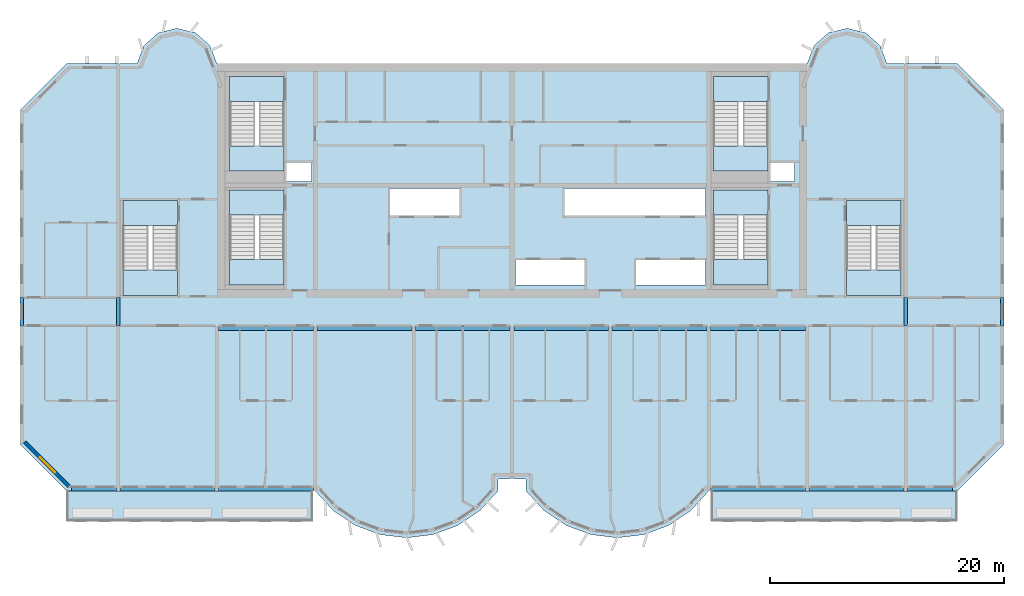
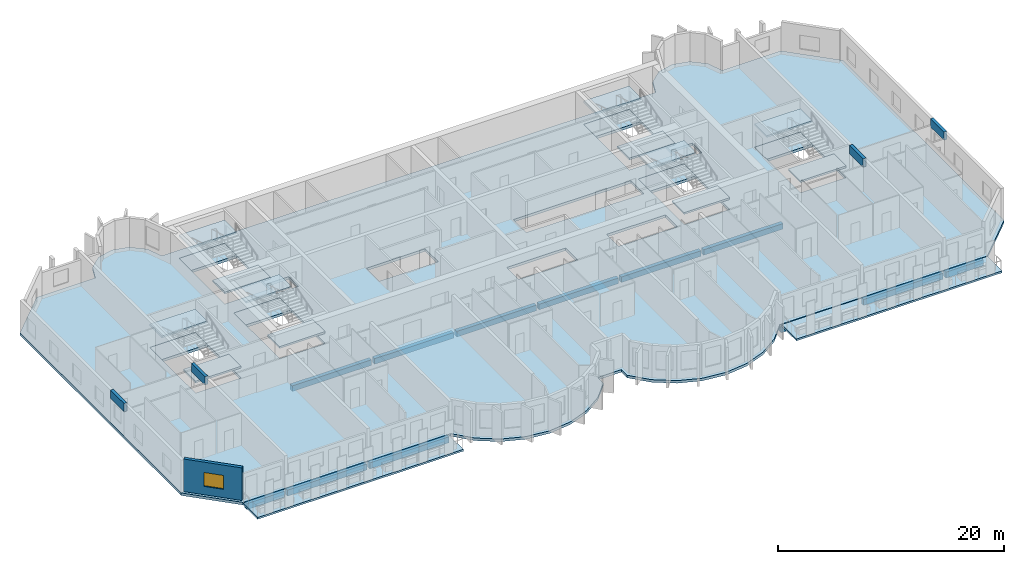
# One storey, part 1 of 13: 21 slabs, 16 beams, 1 wall, 1 window, 1 opening, 6 elements without a shape of their own.
"""IFC4 building model written with IfcOpenShell, lengths in metres."""

from ifc_helpers import new_model, si_unit, direction, frame, frame_2d, origin, origin_2d, place, context, subcontext, project, spatial, polyline, rectangle, outline, extrude, source, transform, mapped, material, layer, layer_set, material_profile, profile_set, type_object, element, fill, aggregate, save


model = new_model("IFC4")

# Units and contexts
model_context = context("Model", 3, precision=1e-05, world=origin(), true_north=direction((0.0, 1.0)))
body_context = subcontext(model_context, "Body", "Model", "MODEL_VIEW")
ifc_project = project(units=[si_unit("LENGTHUNIT", "METRE"), si_unit("AREAUNIT", "SQUARE_METRE"), si_unit("VOLUMEUNIT", "CUBIC_METRE"), si_unit("PLANEANGLEUNIT", "RADIAN"), si_unit("MASSUNIT", "GRAM", prefix="KILO")], contexts=[model_context])

# Site, building, storey
site_placement = place(None, origin())
site = spatial("IfcSite", under=ifc_project, at=site_placement, CompositionType="ELEMENT")
building_placement = place(site_placement, origin())
building = spatial("IfcBuilding", under=site, at=building_placement, Name="Vanashikhar Sky Hotel", CompositionType="ELEMENT")
storey_placement = place(building_placement, frame((0.0, 0.0, 159.199951171875)))
storey = spatial("IfcBuildingStorey", under=building, at=storey_placement, Name="L38", CompositionType="ELEMENT", Elevation=159.199951171875)

# Beams
ifc_material_1 = material(Name="Concrete M50", Category="concrete")
ifc_material_profile_1 = material_profile(ifc_material_1, rectangle(XDim=0.300048828125, YDim=0.89990234375, at=origin_2d()))
ifc_profile_set_1 = profile_set([ifc_material_profile_1], Name="RC 300x900 beam Concrete M50")
beam_type_1 = type_object("IfcBeamType", Name="RC 300x900 beam Concrete M50", PredefinedType="LINTEL", material=ifc_profile_set_1)
shared_shape_1 = source(origin(), body_context, "Body", "SweptSolid", [
    extrude(rectangle(XDim=0.300048828125, YDim=0.89990234375, at=origin_2d()), origin(), (0.0, 0.0, 1.0), 2.39990234375),
])
for number, where, z_axis, x_axis, name in (
    (1, (8.550048828125, 19.60009765625, 3.070068359375), (0.0, 1.0, 0.0), (-1.0, 0.0, 0.0), "LB-L38-XW02"),
    (2, (16.800048828125, 19.60009765625, 3.070068359375), (0.0, 1.0, 0.0), (-1.0, 0.0, 0.0), "LB-L38-XW03"),
    (3, (84.0, 19.60009765625, 3.070068359375), (0.0, 1.0, 0.0), (-1.0, 0.0, 0.0), "LB-L38-XW11"),
    (4, (92.25, 19.60009765625, 3.070068359375), (0.0, 1.0, 0.0), (-1.0, 0.0, 0.0), "LB-L38-XW12"),
):
    element("IfcBeam", number, at=place(storey_placement, frame(where, z_axis=z_axis, x_axis=x_axis)), inside=storey, type_object=beam_type_1, Name=name, PredefinedType="LINTEL", context=body_context, shape_type="MappedRepresentation", body=[
        mapped(shared_shape_1, transform((0.0, 0.0, 0.0), scale=1.0)),
    ])
ifc_material_profile_2 = material_profile(ifc_material_1, rectangle(XDim=0.39990234375, YDim=0.64990234375, at=origin_2d()))
ifc_profile_set_2 = profile_set([ifc_material_profile_2], Name="RC 400x650 beam Concrete M50")
beam_type_2 = type_object("IfcBeamType", Name="RC 400x650 beam Concrete M50", PredefinedType="BEAM", material=ifc_profile_set_2)
shared_shape_2 = source(origin(), body_context, "Body", "SweptSolid", [
    extrude(rectangle(XDim=0.39990234375, YDim=0.64990234375, at=origin_2d()), origin(), (0.0, 0.0, 1.0), 8.10009765625),
])
for number, where, z_axis, x_axis, name in (
    (5, (16.949951171875, 5.699951171875, -0.60498046875), (1.0, 0.0, 0.0), (0.0, 1.0, 0.0), "EB-L38-F01"),
    (6, (75.75, 5.699951171875, -0.60498046875), (1.0, 0.0, 0.0), (0.0, 1.0, 0.0), "EB-L38-F05"),
):
    element("IfcBeam", number, at=place(storey_placement, frame(where, z_axis=z_axis, x_axis=x_axis)), inside=storey, type_object=beam_type_2, Name=name, PredefinedType="BEAM", context=body_context, shape_type="MappedRepresentation", body=[
        mapped(shared_shape_2, transform((0.0, 0.0, 0.0), scale=1.0)),
    ])
shared_shape_3 = source(origin(), body_context, "Body", "SweptSolid", [
    extrude(rectangle(XDim=0.39990234375, YDim=0.64990234375, at=origin_2d()), origin(), (0.0, 0.0, 1.0), 8.099853515625),
])
for number, where, z_axis, x_axis, name in (
    (7, (25.35009765625, 5.699951171875, -0.60498046875), (1.0, 0.0, 0.0), (0.0, 1.0, 0.0), "EB-L38-F02"),
    (8, (67.35009765625, 5.699951171875, -0.60498046875), (1.0, 0.0, 0.0), (0.0, 1.0, 0.0), "EB-L38-F04"),
):
    element("IfcBeam", number, at=place(storey_placement, frame(where, z_axis=z_axis, x_axis=x_axis)), inside=storey, type_object=beam_type_2, Name=name, PredefinedType="BEAM", context=body_context, shape_type="MappedRepresentation", body=[
        mapped(shared_shape_3, transform((0.0, 0.0, 0.0), scale=1.0)),
    ])
ifc_material_profile_3 = material_profile(ifc_material_1, rectangle(XDim=0.39990234375, YDim=0.64990234375, at=origin_2d()))
ifc_profile_set_3 = profile_set([ifc_material_profile_3], Name="RC 400x650 cantilever beam Concrete M50")
beam_type_3 = type_object("IfcBeamType", Name="RC 400x650 cantilever beam Concrete M50", PredefinedType="SPANDREL", material=ifc_profile_set_3)
shared_shape_4 = source(origin(), body_context, "Body", "SweptSolid", [
    extrude(rectangle(XDim=0.39990234375, YDim=0.64990234375, at=origin_2d()), origin(), (0.0, 0.0, 1.0), 3.849853515625),
])
beam_1_placement = place(storey_placement, frame((12.800048828125, 5.699951171875, -0.60498046875), z_axis=(1.0, 0.0, 0.0), x_axis=(0.0, 1.0, 0.0)))
element("IfcBeam", 9, at=beam_1_placement, inside=storey, type_object=beam_type_3, Name="EB-L38-F03", PredefinedType="SPANDREL", context=body_context, shape_type="MappedRepresentation", body=[
    mapped(shared_shape_4, transform((0.0, 0.0, 0.0), scale=1.0)),
])
shared_shape_5 = source(origin(), body_context, "Body", "SweptSolid", [
    extrude(rectangle(XDim=0.39990234375, YDim=0.64990234375, at=origin_2d()), origin(), (0.0, 0.0, 1.0), 3.85009765625),
])
beam_2_placement = place(storey_placement, frame((84.14990234375, 5.699951171875, -0.60498046875), z_axis=(1.0, 0.0, 0.0), x_axis=(0.0, 1.0, 0.0)))
element("IfcBeam", 10, at=beam_2_placement, inside=storey, type_object=beam_type_3, Name="EB-L38-F06", PredefinedType="SPANDREL", context=body_context, shape_type="MappedRepresentation", body=[
    mapped(shared_shape_5, transform((0.0, 0.0, 0.0), scale=1.0)),
])
ifc_material_profile_4 = material_profile(ifc_material_1, rectangle(XDim=0.39990234375, YDim=0.60009765625, at=origin_2d()))
ifc_profile_set_4 = profile_set([ifc_material_profile_4], Name="RC 400x600 beam Concrete M50")
beam_type_4 = type_object("IfcBeamType", Name="RC 400x600 beam Concrete M50", PredefinedType="BEAM", material=ifc_profile_set_4)
shared_shape_6 = source(origin(), body_context, "Body", "SweptSolid", [
    extrude(rectangle(XDim=0.39990234375, YDim=0.60009765625, at=origin_2d()), origin(), (0.0, 0.0, 1.0), 8.099853515625),
])
for number, where, z_axis, x_axis, name in (
    (11, (25.35009765625, 19.39990234375, -0.579833984375), (1.0, 0.0, 0.0), (0.0, 1.0, 0.0), "CB-L38-01"),
    (12, (50.550048828125, 19.39990234375, -0.579833984375), (1.0, 0.0, 0.0), (0.0, 1.0, 0.0), "CB-L38-04"),
    (13, (67.35009765625, 19.39990234375, -0.579833984375), (1.0, 0.0, 0.0), (0.0, 1.0, 0.0), "CB-L38-06"),
):
    element("IfcBeam", number, at=place(storey_placement, frame(where, z_axis=z_axis, x_axis=x_axis)), inside=storey, type_object=beam_type_4, Name=name, PredefinedType="BEAM", context=body_context, shape_type="MappedRepresentation", body=[
        mapped(shared_shape_6, transform((0.0, 0.0, 0.0), scale=1.0)),
    ])
shared_shape_7 = source(origin(), body_context, "Body", "SweptSolid", [
    extrude(rectangle(XDim=0.39990234375, YDim=0.60009765625, at=origin_2d()), origin(), (0.0, 0.0, 1.0), 8.10009765625),
])
for number, where, z_axis, x_axis, name in (
    (14, (33.75, 19.39990234375, -0.579833984375), (1.0, 0.0, 0.0), (0.0, 1.0, 0.0), "CB-L38-02"),
    (15, (42.14990234375, 19.39990234375, -0.579833984375), (1.0, 0.0, 0.0), (0.0, 1.0, 0.0), "CB-L38-03"),
    (16, (58.949951171875, 19.39990234375, -0.579833984375), (1.0, 0.0, 0.0), (0.0, 1.0, 0.0), "CB-L38-05"),
):
    element("IfcBeam", number, at=place(storey_placement, frame(where, z_axis=z_axis, x_axis=x_axis)), inside=storey, type_object=beam_type_4, Name=name, PredefinedType="BEAM", context=body_context, shape_type="MappedRepresentation", body=[
        mapped(shared_shape_7, transform((0.0, 0.0, 0.0), scale=1.0)),
    ])

# Slabs
ifc_material_2 = material(Name="Concrete M40", Category="concrete")
ifc_layer_1 = layer(ifc_material_2, 0.280029296875)
ifc_layer_set_1 = layer_set([ifc_layer_1], Name="Floor slab 280 mm")
slab_type_1 = type_object("IfcSlabType", Name="Floor slab 280 mm", PredefinedType="FLOOR", material=ifc_layer_set_1)
shared_shape_8 = source(origin(), body_context, "Body", "SweptSolid", [
    extrude(outline(polyline([(49.199951171875, 5.5), (49.199951171875, 6.5), (51.60009765625, 6.5), (51.60009765625, 5.5), (53.133056640625, 3.825927734375), (55.01708984375, 2.55810546875), (57.14599609375, 1.76806640625), (59.39990234375, 1.5), (61.654052734375, 1.76806640625), (63.782958984375, 2.55810546875), (65.6669921875, 3.825927734375), (67.199951171875, 5.5), (88.39990234375, 5.5), (92.39990234375, 9.5), (92.39990234375, 38.0), (88.39990234375, 42.0), (82.39990234375, 42.0), (81.81494140625, 43.527099609375), (80.587890625, 44.610107421875), (79.0, 45.0), (77.412109375, 44.610107421875), (76.18505859375, 43.527099609375), (75.60009765625, 42.0), (25.199951171875, 42.0), (24.614990234375, 43.527099609375), (23.387939453125, 44.610107421875), (21.800048828125, 45.0), (20.2119140625, 44.610107421875), (18.985107421875, 43.527099609375), (18.39990234375, 42.0), (12.39990234375, 42.0), (8.39990234375, 38.0), (8.39990234375, 9.5), (12.39990234375, 5.5), (33.60009765625, 5.5), (35.133056640625, 3.825927734375), (37.01708984375, 2.55810546875), (39.14599609375, 1.76806640625), (41.39990234375, 1.5), (43.654052734375, 1.76806640625), (45.782958984375, 2.55810546875), (47.6669921875, 3.825927734375), (49.199951171875, 5.5)]), holes=[polyline([(33.300048828125, 33.60009765625), (31.050048828125, 33.60009765625), (31.050048828125, 31.89990234375), (33.300048828125, 31.89990234375), (33.300048828125, 33.60009765625)]), polyline([(39.89990234375, 31.300048828125), (39.89990234375, 29.0), (45.89990234375, 29.0), (45.89990234375, 31.300048828125), (39.89990234375, 31.300048828125)]), polyline([(50.699951171875, 25.199951171875), (50.699951171875, 23.10009765625), (56.699951171875, 23.10009765625), (56.699951171875, 25.199951171875), (50.699951171875, 25.199951171875)]), polyline([(66.89990234375, 29.0), (66.89990234375, 31.300048828125), (54.89990234375, 31.300048828125), (54.89990234375, 29.0), (66.89990234375, 29.0)]), polyline([(60.89990234375, 25.199951171875), (60.89990234375, 23.10009765625), (66.89990234375, 23.10009765625), (66.89990234375, 25.199951171875), (60.89990234375, 25.199951171875)]), polyline([(74.5, 33.60009765625), (72.35009765625, 33.60009765625), (72.35009765625, 31.89990234375), (74.5, 31.89990234375), (74.5, 33.60009765625)]), polyline([(30.949951171875, 23.10009765625), (30.949951171875, 31.199951171875), (26.300048828125, 31.199951171875), (26.300048828125, 23.10009765625), (30.949951171875, 23.10009765625)]), polyline([(72.25, 23.10009765625), (72.25, 31.199951171875), (67.60009765625, 31.199951171875), (67.60009765625, 23.10009765625), (72.25, 23.10009765625)]), polyline([(30.949951171875, 32.800048828125), (30.949951171875, 40.89990234375), (26.300048828125, 40.89990234375), (26.300048828125, 32.800048828125), (30.949951171875, 32.800048828125)]), polyline([(72.25, 32.800048828125), (72.25, 40.89990234375), (67.60009765625, 40.89990234375), (67.60009765625, 32.800048828125), (72.25, 32.800048828125)]), polyline([(83.60009765625, 22.199951171875), (83.60009765625, 30.300048828125), (78.949951171875, 30.300048828125), (78.949951171875, 22.199951171875), (83.60009765625, 22.199951171875)]), polyline([(21.85009765625, 22.199951171875), (21.85009765625, 30.300048828125), (17.199951171875, 30.300048828125), (17.199951171875, 22.199951171875), (21.85009765625, 22.199951171875)])]), origin(), (0.0, 0.0, 1.0), 0.280029296875),
])
slab_1_placement = place(storey_placement, frame((0.0, 0.0, -0.280029296875)))
element("IfcSlab", 17, at=slab_1_placement, inside=storey, type_object=slab_type_1, Name="Floor slab L38", PredefinedType="FLOOR", context=body_context, shape_type="MappedRepresentation", body=[
    mapped(shared_shape_8, transform((0.0, 0.0, 0.0), scale=1.0)),
])
ifc_layer_2 = layer(ifc_material_2, 0.199951171875)
ifc_layer_set_2 = layer_set([ifc_layer_2], Name="Balcony slab 200 mm")
slab_type_2 = type_object("IfcSlabType", Name="Balcony slab 200 mm", PredefinedType="USERDEFINED", material=ifc_layer_set_2)
shared_shape_9 = source(origin(), body_context, "Body", "SweptSolid", [
    extrude(outline(polyline([(12.39990234375, 2.89990234375), (33.39990234375, 2.89990234375), (33.39990234375, 5.5), (12.39990234375, 5.5), (12.39990234375, 2.89990234375)])), origin(), (0.0, 0.0, 1.0), 0.199951171875),
])
slab_2_placement = place(storey_placement, frame((0.0, 0.0, -0.25)))
element("IfcSlab", 18, at=slab_2_placement, inside=storey, type_object=slab_type_2, Name="Balcony slab L38 1", ObjectType="BALCONY", PredefinedType="USERDEFINED", context=body_context, shape_type="MappedRepresentation", body=[
    mapped(shared_shape_9, transform((0.0, 0.0, 0.0), scale=1.0)),
])
shared_shape_10 = source(origin(), body_context, "Body", "SweptSolid", [
    extrude(outline(polyline([(67.39990234375, 2.89990234375), (88.39990234375, 2.89990234375), (88.39990234375, 5.5), (67.39990234375, 5.5), (67.39990234375, 2.89990234375)])), origin(), (0.0, 0.0, 1.0), 0.199951171875),
])
slab_3_placement = place(storey_placement, frame((0.0, 0.0, -0.25)))
element("IfcSlab", 19, at=slab_3_placement, inside=storey, type_object=slab_type_2, Name="Balcony slab L38 2", ObjectType="BALCONY", PredefinedType="USERDEFINED", context=body_context, shape_type="MappedRepresentation", body=[
    mapped(shared_shape_10, transform((0.0, 0.0, 0.0), scale=1.0)),
])

# Stair, slabs
stair_type = type_object("IfcStairType", Name="Exit stair 2150", PredefinedType="DOUBLE_RETURN_STAIR", material=ifc_material_2)
stair_1_placement = place(storey_placement, origin())
stair_1 = element("IfcStair", 20, at=stair_1_placement, inside=storey, type_object=stair_type, Name="L38 Exit stair 1", PredefinedType="DOUBLE_RETURN_STAIR")
ifc_layer_3 = layer(ifc_material_2, 0.199951171875)
ifc_layer_set_3 = layer_set([ifc_layer_3], Name="Stair landing 200")
slab_type_3 = type_object("IfcSlabType", Name="Stair landing 200", PredefinedType="LANDING", material=ifc_layer_set_3)
shared_shape_11 = source(origin(), body_context, "Body", "SweptSolid", [
    extrude(outline(polyline([(30.949951171875, 29.050048828125), (30.949951171875, 31.199951171875), (26.300048828125, 31.199951171875), (26.300048828125, 29.050048828125), (30.949951171875, 29.050048828125)])), origin(), (0.0, 0.0, 1.0), 0.199951171875),
])
slab_4_placement = place(storey_placement, frame((0.0, 0.0, 2.33349609375)))
slab_4 = element("IfcSlab", 21, at=slab_4_placement, type_object=slab_type_3, Name="ST-C1 landing 2", PredefinedType="LANDING", context=body_context, shape_type="MappedRepresentation", body=[
    mapped(shared_shape_11, transform((0.0, 0.0, 0.0), scale=1.0)),
])
shared_shape_12 = source(origin(), body_context, "Body", "SweptSolid", [
    extrude(outline(polyline([(30.949951171875, 23.10009765625), (30.949951171875, 25.25), (26.300048828125, 25.25), (26.300048828125, 23.10009765625), (30.949951171875, 23.10009765625)])), origin(), (0.0, 0.0, 1.0), 0.199951171875),
])
slab_5_placement = place(storey_placement, frame((0.0, 0.0, 1.066650390625)))
slab_5 = element("IfcSlab", 22, at=slab_5_placement, type_object=slab_type_3, Name="ST-C1 landing 1", PredefinedType="LANDING", context=body_context, shape_type="MappedRepresentation", body=[
    mapped(shared_shape_12, transform((0.0, 0.0, 0.0), scale=1.0)),
])
aggregate(stair_1, [slab_5, slab_4])

# Slab
ifc_layer_4 = layer(ifc_material_2, 0.280029296875)
ifc_layer_set_4 = layer_set([ifc_layer_4], Name="Stair floor landing 280")
slab_type_4 = type_object("IfcSlabType", Name="Stair floor landing 280", PredefinedType="LANDING", material=ifc_layer_set_4)
shared_shape_13 = source(origin(), body_context, "Body", "SweptSolid", [
    extrude(outline(polyline([(30.949951171875, 29.050048828125), (30.949951171875, 31.199951171875), (26.300048828125, 31.199951171875), (26.300048828125, 29.050048828125), (30.949951171875, 29.050048828125)])), origin(), (0.0, 0.0, 1.0), 0.280029296875),
])
slab_6_placement = place(storey_placement, frame((0.0, 0.0, -0.280029296875)))
element("IfcSlab", 23, at=slab_6_placement, inside=storey, type_object=slab_type_4, Name="Exit stair 1 floor landing", PredefinedType="LANDING", context=body_context, shape_type="MappedRepresentation", body=[
    mapped(shared_shape_13, transform((0.0, 0.0, 0.0), scale=1.0)),
])

# Stair, slabs
stair_2_placement = place(storey_placement, origin())
stair_2 = element("IfcStair", 24, at=stair_2_placement, inside=storey, type_object=stair_type, Name="L38 Exit stair 2", PredefinedType="DOUBLE_RETURN_STAIR")
shared_shape_14 = source(origin(), body_context, "Body", "SweptSolid", [
    extrude(outline(polyline([(72.25, 29.050048828125), (72.25, 31.199951171875), (67.60009765625, 31.199951171875), (67.60009765625, 29.050048828125), (72.25, 29.050048828125)])), origin(), (0.0, 0.0, 1.0), 0.199951171875),
])
slab_7_placement = place(storey_placement, frame((0.0, 0.0, 2.33349609375)))
slab_7 = element("IfcSlab", 25, at=slab_7_placement, type_object=slab_type_3, Name="ST-C2 landing 2", PredefinedType="LANDING", context=body_context, shape_type="MappedRepresentation", body=[
    mapped(shared_shape_14, transform((0.0, 0.0, 0.0), scale=1.0)),
])
shared_shape_15 = source(origin(), body_context, "Body", "SweptSolid", [
    extrude(outline(polyline([(72.25, 23.10009765625), (72.25, 25.25), (67.60009765625, 25.25), (67.60009765625, 23.10009765625), (72.25, 23.10009765625)])), origin(), (0.0, 0.0, 1.0), 0.199951171875),
])
slab_8_placement = place(storey_placement, frame((0.0, 0.0, 1.066650390625)))
slab_8 = element("IfcSlab", 26, at=slab_8_placement, type_object=slab_type_3, Name="ST-C2 landing 1", PredefinedType="LANDING", context=body_context, shape_type="MappedRepresentation", body=[
    mapped(shared_shape_15, transform((0.0, 0.0, 0.0), scale=1.0)),
])
aggregate(stair_2, [slab_8, slab_7])

# Slab
shared_shape_16 = source(origin(), body_context, "Body", "SweptSolid", [
    extrude(outline(polyline([(72.25, 29.050048828125), (72.25, 31.199951171875), (67.60009765625, 31.199951171875), (67.60009765625, 29.050048828125), (72.25, 29.050048828125)])), origin(), (0.0, 0.0, 1.0), 0.280029296875),
])
slab_9_placement = place(storey_placement, frame((0.0, 0.0, -0.280029296875)))
element("IfcSlab", 27, at=slab_9_placement, inside=storey, type_object=slab_type_4, Name="Exit stair 2 floor landing", PredefinedType="LANDING", context=body_context, shape_type="MappedRepresentation", body=[
    mapped(shared_shape_16, transform((0.0, 0.0, 0.0), scale=1.0)),
])

# Stair, slabs
stair_3_placement = place(storey_placement, origin())
stair_3 = element("IfcStair", 28, at=stair_3_placement, inside=storey, type_object=stair_type, Name="L38 Exit stair 3", PredefinedType="DOUBLE_RETURN_STAIR")
shared_shape_17 = source(origin(), body_context, "Body", "SweptSolid", [
    extrude(outline(polyline([(21.85009765625, 28.14990234375), (21.85009765625, 30.300048828125), (17.199951171875, 30.300048828125), (17.199951171875, 28.14990234375), (21.85009765625, 28.14990234375)])), origin(), (0.0, 0.0, 1.0), 0.199951171875),
])
slab_10_placement = place(storey_placement, frame((0.0, 0.0, 2.33349609375)))
slab_10 = element("IfcSlab", 29, at=slab_10_placement, type_object=slab_type_3, Name="ST-W landing 2", PredefinedType="LANDING", context=body_context, shape_type="MappedRepresentation", body=[
    mapped(shared_shape_17, transform((0.0, 0.0, 0.0), scale=1.0)),
])
shared_shape_18 = source(origin(), body_context, "Body", "SweptSolid", [
    extrude(outline(polyline([(21.85009765625, 22.199951171875), (21.85009765625, 24.35009765625), (17.199951171875, 24.35009765625), (17.199951171875, 22.199951171875), (21.85009765625, 22.199951171875)])), origin(), (0.0, 0.0, 1.0), 0.199951171875),
])
slab_11_placement = place(storey_placement, frame((0.0, 0.0, 1.066650390625)))
slab_11 = element("IfcSlab", 30, at=slab_11_placement, type_object=slab_type_3, Name="ST-W landing 1", PredefinedType="LANDING", context=body_context, shape_type="MappedRepresentation", body=[
    mapped(shared_shape_18, transform((0.0, 0.0, 0.0), scale=1.0)),
])
aggregate(stair_3, [slab_11, slab_10])

# Slab
shared_shape_19 = source(origin(), body_context, "Body", "SweptSolid", [
    extrude(outline(polyline([(21.85009765625, 28.14990234375), (21.85009765625, 30.300048828125), (17.199951171875, 30.300048828125), (17.199951171875, 28.14990234375), (21.85009765625, 28.14990234375)])), origin(), (0.0, 0.0, 1.0), 0.280029296875),
])
slab_12_placement = place(storey_placement, frame((0.0, 0.0, -0.280029296875)))
element("IfcSlab", 31, at=slab_12_placement, inside=storey, type_object=slab_type_4, Name="Exit stair 3 floor landing", PredefinedType="LANDING", context=body_context, shape_type="MappedRepresentation", body=[
    mapped(shared_shape_19, transform((0.0, 0.0, 0.0), scale=1.0)),
])

# Stair, slabs
stair_4_placement = place(storey_placement, origin())
stair_4 = element("IfcStair", 32, at=stair_4_placement, inside=storey, type_object=stair_type, Name="L38 Exit stair 4", PredefinedType="DOUBLE_RETURN_STAIR")
shared_shape_20 = source(origin(), body_context, "Body", "SweptSolid", [
    extrude(outline(polyline([(83.60009765625, 28.14990234375), (83.60009765625, 30.300048828125), (78.949951171875, 30.300048828125), (78.949951171875, 28.14990234375), (83.60009765625, 28.14990234375)])), origin(), (0.0, 0.0, 1.0), 0.199951171875),
])
slab_13_placement = place(storey_placement, frame((0.0, 0.0, 2.33349609375)))
slab_13 = element("IfcSlab", 33, at=slab_13_placement, type_object=slab_type_3, Name="ST-E landing 2", PredefinedType="LANDING", context=body_context, shape_type="MappedRepresentation", body=[
    mapped(shared_shape_20, transform((0.0, 0.0, 0.0), scale=1.0)),
])
shared_shape_21 = source(origin(), body_context, "Body", "SweptSolid", [
    extrude(outline(polyline([(83.60009765625, 22.199951171875), (83.60009765625, 24.35009765625), (78.949951171875, 24.35009765625), (78.949951171875, 22.199951171875), (83.60009765625, 22.199951171875)])), origin(), (0.0, 0.0, 1.0), 0.199951171875),
])
slab_14_placement = place(storey_placement, frame((0.0, 0.0, 1.066650390625)))
slab_14 = element("IfcSlab", 34, at=slab_14_placement, type_object=slab_type_3, Name="ST-E landing 1", PredefinedType="LANDING", context=body_context, shape_type="MappedRepresentation", body=[
    mapped(shared_shape_21, transform((0.0, 0.0, 0.0), scale=1.0)),
])
aggregate(stair_4, [slab_14, slab_13])

# Slab
shared_shape_22 = source(origin(), body_context, "Body", "SweptSolid", [
    extrude(outline(polyline([(83.60009765625, 28.14990234375), (83.60009765625, 30.300048828125), (78.949951171875, 30.300048828125), (78.949951171875, 28.14990234375), (83.60009765625, 28.14990234375)])), origin(), (0.0, 0.0, 1.0), 0.280029296875),
])
slab_15_placement = place(storey_placement, frame((0.0, 0.0, -0.280029296875)))
element("IfcSlab", 35, at=slab_15_placement, inside=storey, type_object=slab_type_4, Name="Exit stair 4 floor landing", PredefinedType="LANDING", context=body_context, shape_type="MappedRepresentation", body=[
    mapped(shared_shape_22, transform((0.0, 0.0, 0.0), scale=1.0)),
])

# Stair, slabs
stair_5_placement = place(storey_placement, origin())
stair_5 = element("IfcStair", 36, at=stair_5_placement, inside=storey, type_object=stair_type, Name="L38 Exit stair 5", PredefinedType="DOUBLE_RETURN_STAIR")
shared_shape_23 = source(origin(), body_context, "Body", "SweptSolid", [
    extrude(outline(polyline([(30.949951171875, 38.75), (30.949951171875, 40.89990234375), (26.300048828125, 40.89990234375), (26.300048828125, 38.75), (30.949951171875, 38.75)])), origin(), (0.0, 0.0, 1.0), 0.199951171875),
])
slab_16_placement = place(storey_placement, frame((0.0, 0.0, 2.33349609375)))
slab_16 = element("IfcSlab", 37, at=slab_16_placement, type_object=slab_type_3, Name="ST-C3 landing 2", PredefinedType="LANDING", context=body_context, shape_type="MappedRepresentation", body=[
    mapped(shared_shape_23, transform((0.0, 0.0, 0.0), scale=1.0)),
])
shared_shape_24 = source(origin(), body_context, "Body", "SweptSolid", [
    extrude(outline(polyline([(30.949951171875, 32.800048828125), (30.949951171875, 34.949951171875), (26.300048828125, 34.949951171875), (26.300048828125, 32.800048828125), (30.949951171875, 32.800048828125)])), origin(), (0.0, 0.0, 1.0), 0.199951171875),
])
slab_17_placement = place(storey_placement, frame((0.0, 0.0, 1.066650390625)))
slab_17 = element("IfcSlab", 38, at=slab_17_placement, type_object=slab_type_3, Name="ST-C3 landing 1", PredefinedType="LANDING", context=body_context, shape_type="MappedRepresentation", body=[
    mapped(shared_shape_24, transform((0.0, 0.0, 0.0), scale=1.0)),
])
aggregate(stair_5, [slab_17, slab_16])

# Slab
shared_shape_25 = source(origin(), body_context, "Body", "SweptSolid", [
    extrude(outline(polyline([(30.949951171875, 38.75), (30.949951171875, 40.89990234375), (26.300048828125, 40.89990234375), (26.300048828125, 38.75), (30.949951171875, 38.75)])), origin(), (0.0, 0.0, 1.0), 0.280029296875),
])
slab_18_placement = place(storey_placement, frame((0.0, 0.0, -0.280029296875)))
element("IfcSlab", 39, at=slab_18_placement, inside=storey, type_object=slab_type_4, Name="Exit stair 5 floor landing", PredefinedType="LANDING", context=body_context, shape_type="MappedRepresentation", body=[
    mapped(shared_shape_25, transform((0.0, 0.0, 0.0), scale=1.0)),
])

# Stair, slabs
stair_6_placement = place(storey_placement, origin())
stair_6 = element("IfcStair", 40, at=stair_6_placement, inside=storey, type_object=stair_type, Name="L38 Exit stair 6", PredefinedType="DOUBLE_RETURN_STAIR")
shared_shape_26 = source(origin(), body_context, "Body", "SweptSolid", [
    extrude(outline(polyline([(72.25, 38.75), (72.25, 40.89990234375), (67.60009765625, 40.89990234375), (67.60009765625, 38.75), (72.25, 38.75)])), origin(), (0.0, 0.0, 1.0), 0.199951171875),
])
slab_19_placement = place(storey_placement, frame((0.0, 0.0, 2.33349609375)))
slab_19 = element("IfcSlab", 41, at=slab_19_placement, type_object=slab_type_3, Name="ST-C4 landing 2", PredefinedType="LANDING", context=body_context, shape_type="MappedRepresentation", body=[
    mapped(shared_shape_26, transform((0.0, 0.0, 0.0), scale=1.0)),
])
shared_shape_27 = source(origin(), body_context, "Body", "SweptSolid", [
    extrude(outline(polyline([(72.25, 32.800048828125), (72.25, 34.949951171875), (67.60009765625, 34.949951171875), (67.60009765625, 32.800048828125), (72.25, 32.800048828125)])), origin(), (0.0, 0.0, 1.0), 0.199951171875),
])
slab_20_placement = place(storey_placement, frame((0.0, 0.0, 1.066650390625)))
slab_20 = element("IfcSlab", 42, at=slab_20_placement, type_object=slab_type_3, Name="ST-C4 landing 1", PredefinedType="LANDING", context=body_context, shape_type="MappedRepresentation", body=[
    mapped(shared_shape_27, transform((0.0, 0.0, 0.0), scale=1.0)),
])
aggregate(stair_6, [slab_20, slab_19])

# Slab
shared_shape_28 = source(origin(), body_context, "Body", "SweptSolid", [
    extrude(outline(polyline([(72.25, 38.75), (72.25, 40.89990234375), (67.60009765625, 40.89990234375), (67.60009765625, 38.75), (72.25, 38.75)])), origin(), (0.0, 0.0, 1.0), 0.280029296875),
])
slab_21_placement = place(storey_placement, frame((0.0, 0.0, -0.280029296875)))
element("IfcSlab", 43, at=slab_21_placement, inside=storey, type_object=slab_type_4, Name="Exit stair 6 floor landing", PredefinedType="LANDING", context=body_context, shape_type="MappedRepresentation", body=[
    mapped(shared_shape_28, transform((0.0, 0.0, 0.0), scale=1.0)),
])

# Wall, opening, window
ifc_layer_5 = layer(ifc_material_1, 0.300048828125)
ifc_layer_set_5 = layer_set([ifc_layer_5], Name="Lobe wall 300")
wall_type = type_object("IfcWallType", Name="Lobe wall 300", PredefinedType="SOLIDWALL", material=ifc_layer_set_5)
shared_shape_29 = source(origin(), body_context, "Body", "SweptSolid", [
    extrude(rectangle(XDim=5.32568359375, YDim=0.300048828125, at=frame_2d((2.662841796875, 0.0))), origin(), (0.0, 0.0, 1.0), 3.52001953125),
])
wall_placement = place(storey_placement, frame((8.800048828125, 9.665771484375, 0.0), z_axis=(0.0, 0.0, 1.0), x_axis=(0.707083859269, -0.707129702361, 0.0)))
wall = element("IfcWall", 44, at=wall_placement, inside=storey, type_object=wall_type, Name="Corner wall", PredefinedType="SOLIDWALL", context=body_context, shape_type="MappedRepresentation", body=[
    mapped(shared_shape_29, transform((0.0, 0.0, 0.0), scale=1.0)),
])
shared_shape_30 = source(origin(), body_context, "Body", "SweptSolid", [
    extrude(rectangle(XDim=1.800048828125, YDim=1.5, at=frame_2d((0.89990234375, 0.75))), frame((0.0, 0.16015625, 0.0), z_axis=(0.0, -1.0, 0.0), x_axis=(1.0, 0.0, 0.0)), (0.0, 0.0, 1.0), 0.320068359375),
])
opening_placement = place(wall_placement, frame((1.8359375, 0.0, 0.89990234375)))
opening = element("IfcOpeningElement", 45, at=opening_placement, cuts=wall, Name="Opening WN-4", PredefinedType="OPENING", context=body_context, shape_type="MappedRepresentation", body=[
    mapped(shared_shape_30, transform((0.0, 0.0, 0.0), scale=1.0)),
])
ifc_material_3 = material(Name="Glass", Category="glass")
window_type = type_object("IfcWindowType", Name="Corner window 1800 x 1500", PartitioningType="SINGLE_PANEL", PredefinedType="WINDOW", material=ifc_material_3)
shared_shape_31 = source(origin(), body_context, "Body", "SweptSolid", [
    extrude(rectangle(XDim=1.800048828125, YDim=1.5, at=frame_2d((0.89990234375, 0.75))), frame((0.0, 0.030029296875, 0.0), z_axis=(0.0, -1.0, 0.0), x_axis=(1.0, 0.0, 0.0)), (0.0, 0.0, 1.0), 0.06005859375),
])
window_placement = place(opening_placement, origin())
window = element("IfcWindow", 46, at=window_placement, inside=storey, type_object=window_type, Name="Window WN-4", OverallHeight=1.5, OverallWidth=1.800048828125, PartitioningType="SINGLE_PANEL", PredefinedType="WINDOW", context=body_context, shape_type="MappedRepresentation", body=[
    mapped(shared_shape_31, transform((0.0, 0.0, 0.0), scale=1.0)),
])
fill(opening, window)

save(model, "model.ifc")
